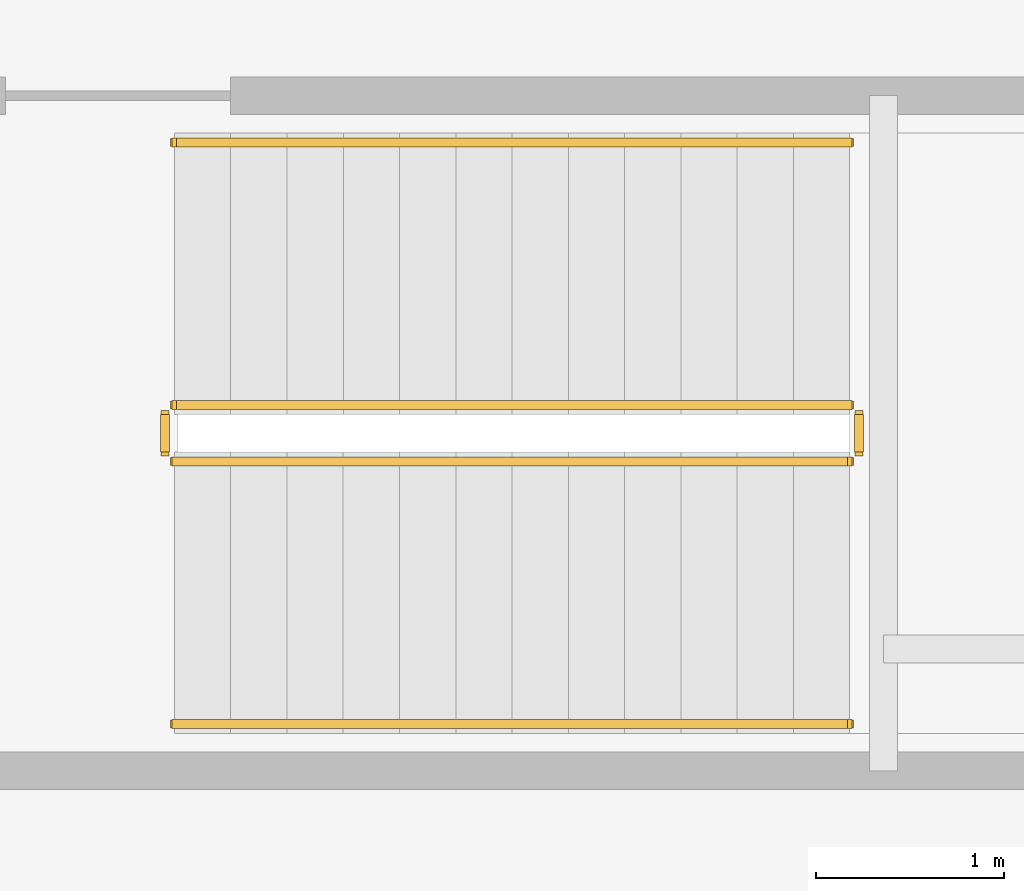
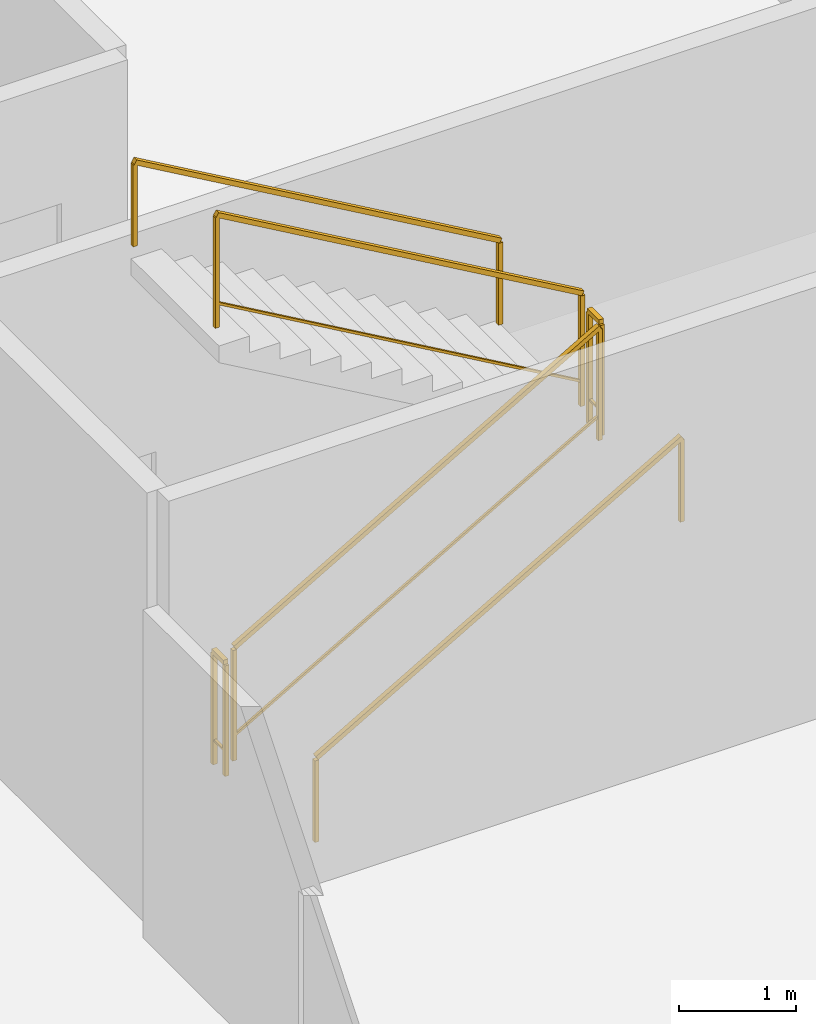
# One storey, part 15 of 15: 6 railings.
"""IFC4 building model written with IfcOpenShell, lengths in metres."""

from ifc_helpers import new_model, si_unit, direction, frame, origin, origin_2d, place, context, subcontext, project, spatial, rectangle, extrude, material, type_object, element, save


model = new_model("IFC4")

# Units and contexts
model_context = context("Model", 3, precision=1e-05, world=origin(), true_north=direction((0.0, 1.0)))
body_context = subcontext(model_context, "Body", "Model", "MODEL_VIEW")
ifc_project = project(units=[si_unit("LENGTHUNIT", "METRE"), si_unit("AREAUNIT", "SQUARE_METRE"), si_unit("VOLUMEUNIT", "CUBIC_METRE"), si_unit("PLANEANGLEUNIT", "RADIAN"), si_unit("MASSUNIT", "GRAM", prefix="KILO")], contexts=[model_context])

# Site, building, storey
site_placement = place(None, origin())
site = spatial("IfcSite", under=ifc_project, at=site_placement, CompositionType="ELEMENT")
building_placement = place(site_placement, origin())
building = spatial("IfcBuilding", under=site, at=building_placement, Name="Svetorya Sky Lyceum", CompositionType="ELEMENT")
storey_placement = place(building_placement, frame((0.0, 0.0, 6.60009765625)))
storey = spatial("IfcBuildingStorey", under=building, at=storey_placement, Name="L01", CompositionType="ELEMENT", Elevation=6.60009765625)

# Railings
ifc_material_1 = material(Name="Painted galvanized stair well guard")
railing_type_1 = type_object("IfcRailingType", Name="RL-STR-GUARD-1200", PredefinedType="GUARDRAIL", material=ifc_material_1)
railing_1_placement = place(storey_placement, frame((68.25, 24.25, 0.173095703125)))
element("IfcRailing", 1, at=railing_1_placement, inside=storey, type_object=railing_type_1, Name="L01 ST-SCH-E stair guard 1", PredefinedType="GUARDRAIL", context=body_context, shape_type="SweptSolid", body=[
    extrude(rectangle(XDim=0.048095703125, YDim=0.048095703125, at=origin_2d()), frame((0.0, 0.0, 1.17578125), z_axis=(0.866193409371, 0.0, 0.499708892819), x_axis=(0.0, 1.0, 0.0)), (0.0, 0.0, 1.0), 4.15625),
    extrude(rectangle(XDim=0.02392578125, YDim=0.02392578125, at=origin_2d()), frame((0.0, 0.0, 0.25), z_axis=(0.866193409371, 0.0, 0.499708892819), x_axis=(0.0, 1.0, 0.0)), (0.0, 0.0, 1.0), 4.15625),
    extrude(rectangle(XDim=0.0419921875, YDim=0.0419921875, at=origin_2d()), origin(), (0.0, 0.0, 1.0), 1.15185546875),
    extrude(rectangle(XDim=0.0419921875, YDim=0.0419921875, at=origin_2d()), frame((3.60009765625, 0.0, 2.076904296875)), (0.0, 0.0, 1.0), 1.15185546875),
])
railing_2_placement = place(storey_placement, frame((71.89990234375, 24.300048828125, 2.25)))
element("IfcRailing", 2, at=railing_2_placement, inside=storey, type_object=railing_type_1, Name="L01 ST-SCH-E stair guard 2", PredefinedType="GUARDRAIL", context=body_context, shape_type="SweptSolid", body=[
    extrude(rectangle(XDim=0.048095703125, YDim=0.048095703125, at=origin_2d()), frame((0.0, 0.0, 1.17578125), z_axis=(0.0, 1.0, 0.0), x_axis=(-1.0, 0.0, 0.0)), (0.0, 0.0, 1.0), 0.199951171875),
    extrude(rectangle(XDim=0.02392578125, YDim=0.02392578125, at=origin_2d()), frame((0.0, 0.0, 0.25), z_axis=(0.0, 1.0, 0.0), x_axis=(-1.0, 0.0, 0.0)), (0.0, 0.0, 1.0), 0.199951171875),
    extrude(rectangle(XDim=0.0419921875, YDim=0.0419921875, at=origin_2d()), origin(), (0.0, 0.0, 1.0), 1.15185546875),
    extrude(rectangle(XDim=0.0419921875, YDim=0.0419921875, at=origin_2d()), frame((0.0, 0.199951171875, 0.0)), (0.0, 0.0, 1.0), 1.15185546875),
])
railing_3_placement = place(storey_placement, frame((71.85009765625, 24.550048828125, 2.423095703125)))
element("IfcRailing", 3, at=railing_3_placement, inside=storey, type_object=railing_type_1, Name="L01 ST-SCH-E stair guard 3", PredefinedType="GUARDRAIL", context=body_context, shape_type="SweptSolid", body=[
    extrude(rectangle(XDim=0.048095703125, YDim=0.048095703125, at=origin_2d()), frame((0.0, 0.0, 1.17578125), z_axis=(-0.866193409371, 0.0, 0.499708892819), x_axis=(0.0, -1.0, 0.0)), (0.0, 0.0, 1.0), 4.15625),
    extrude(rectangle(XDim=0.02392578125, YDim=0.02392578125, at=origin_2d()), frame((0.0, 0.0, 0.25), z_axis=(-0.866193409371, 0.0, 0.499708892819), x_axis=(0.0, -1.0, 0.0)), (0.0, 0.0, 1.0), 4.15625),
    extrude(rectangle(XDim=0.0419921875, YDim=0.0419921875, at=origin_2d()), origin(), (0.0, 0.0, 1.0), 1.15185546875),
    extrude(rectangle(XDim=0.0419921875, YDim=0.0419921875, at=origin_2d()), frame((-3.60009765625, 0.0, 2.076904296875)), (0.0, 0.0, 1.0), 1.15185546875),
])
railing_4_placement = place(storey_placement, frame((68.199951171875, 24.300048828125, 0.0)))
element("IfcRailing", 4, at=railing_4_placement, inside=storey, type_object=railing_type_1, Name="L01 ST-SCH-E stair guard 4", PredefinedType="GUARDRAIL", context=body_context, shape_type="SweptSolid", body=[
    extrude(rectangle(XDim=0.048095703125, YDim=0.048095703125, at=origin_2d()), frame((0.0, 0.0, 1.17578125), z_axis=(0.0, 1.0, 0.0), x_axis=(-1.0, 0.0, 0.0)), (0.0, 0.0, 1.0), 0.199951171875),
    extrude(rectangle(XDim=0.02392578125, YDim=0.02392578125, at=origin_2d()), frame((0.0, 0.0, 0.25), z_axis=(0.0, 1.0, 0.0), x_axis=(-1.0, 0.0, 0.0)), (0.0, 0.0, 1.0), 0.199951171875),
    extrude(rectangle(XDim=0.0419921875, YDim=0.0419921875, at=origin_2d()), origin(), (0.0, 0.0, 1.0), 1.15185546875),
    extrude(rectangle(XDim=0.0419921875, YDim=0.0419921875, at=origin_2d()), frame((0.0, 0.199951171875, 0.0)), (0.0, 0.0, 1.0), 1.15185546875),
])
ifc_material_2 = material(Name="Brushed stainless AISI 304 stair handrail")
railing_type_2 = type_object("IfcRailingType", Name="RL-STR-HAND-920", PredefinedType="HANDRAIL", material=ifc_material_2)
railing_5_placement = place(storey_placement, frame((68.25, 22.85009765625, 0.173095703125)))
element("IfcRailing", 5, at=railing_5_placement, inside=storey, type_object=railing_type_2, Name="L01 ST-SCH-E stair handrail 1", PredefinedType="HANDRAIL", context=body_context, shape_type="SweptSolid", body=[
    extrude(rectangle(XDim=0.048095703125, YDim=0.048095703125, at=origin_2d()), frame((0.0, 0.0, 0.8759765625), z_axis=(0.866193409371, 0.0, 0.499708892819), x_axis=(0.0, 1.0, 0.0)), (0.0, 0.0, 1.0), 4.15625),
    extrude(rectangle(XDim=0.0419921875, YDim=0.0419921875, at=origin_2d()), origin(), (0.0, 0.0, 1.0), 0.851806640625),
    extrude(rectangle(XDim=0.0419921875, YDim=0.0419921875, at=origin_2d()), frame((3.60009765625, 0.0, 2.076904296875)), (0.0, 0.0, 1.0), 0.851806640625),
])
railing_6_placement = place(storey_placement, frame((71.85009765625, 25.949951171875, 2.423095703125)))
element("IfcRailing", 6, at=railing_6_placement, inside=storey, type_object=railing_type_2, Name="L01 ST-SCH-E stair handrail 2", PredefinedType="HANDRAIL", context=body_context, shape_type="SweptSolid", body=[
    extrude(rectangle(XDim=0.048095703125, YDim=0.048095703125, at=origin_2d()), frame((0.0, 0.0, 0.8759765625), z_axis=(-0.866193409371, 0.0, 0.499708892819), x_axis=(0.0, -1.0, 0.0)), (0.0, 0.0, 1.0), 4.15625),
    extrude(rectangle(XDim=0.0419921875, YDim=0.0419921875, at=origin_2d()), origin(), (0.0, 0.0, 1.0), 0.851806640625),
    extrude(rectangle(XDim=0.0419921875, YDim=0.0419921875, at=origin_2d()), frame((-3.60009765625, 0.0, 2.076904296875)), (0.0, 0.0, 1.0), 0.851806640625),
])

save(model, "model.ifc")
